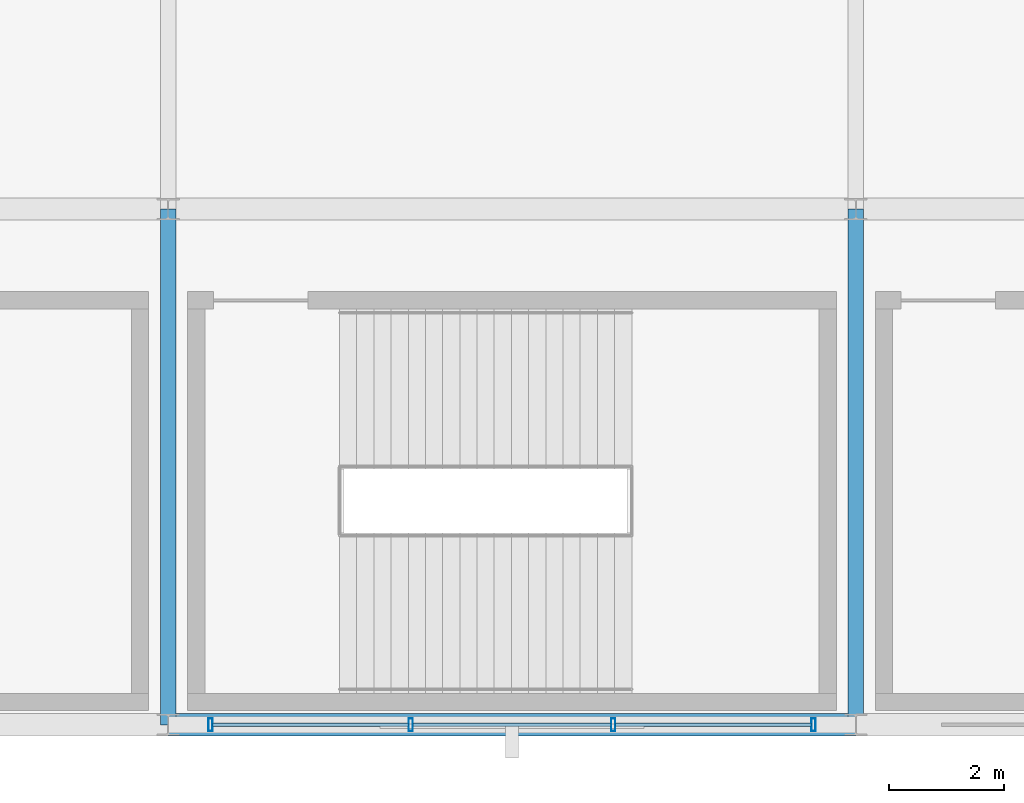
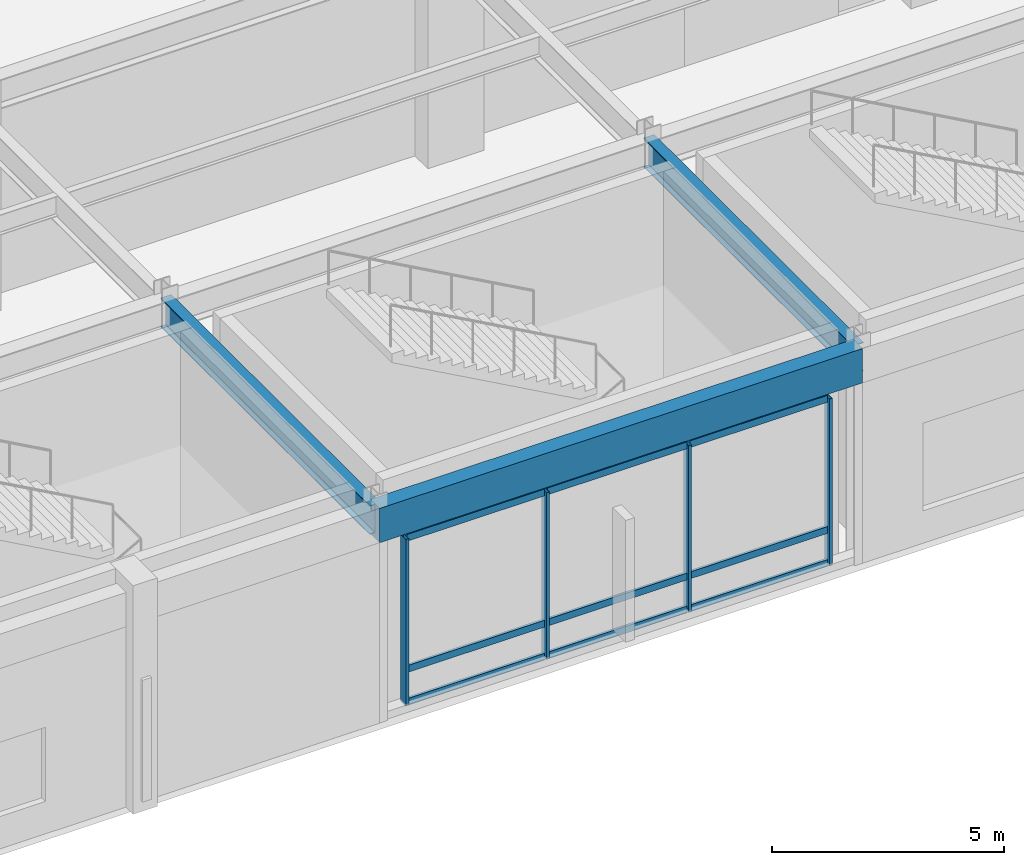
# One storey, part 29 of 108: 13 members, 3 beams, 1 element without a shape of its own.
"""IFC4 building model written with IfcOpenShell, lengths in metres."""

from ifc_helpers import new_model, si_unit, direction, frame, origin, origin_2d, place, context, subcontext, project, spatial, rectangle, hollow_rectangle, i_section, extrude, material, material_profile, profile_set, type_object, element, aggregate, save


model = new_model("IFC4")

# Units and contexts
model_context = context("Model", 3, precision=1e-05, world=origin(), true_north=direction((0.0, 1.0)))
body_context = subcontext(model_context, "Body", "Model", "MODEL_VIEW")
ifc_project = project(units=[si_unit("LENGTHUNIT", "METRE"), si_unit("AREAUNIT", "SQUARE_METRE"), si_unit("VOLUMEUNIT", "CUBIC_METRE"), si_unit("PLANEANGLEUNIT", "RADIAN"), si_unit("MASSUNIT", "GRAM", prefix="KILO")], contexts=[model_context])

# Site, building, storey
site_placement = place(None, origin())
site = spatial("IfcSite", under=ifc_project, at=site_placement, CompositionType="ELEMENT")
building_placement = place(site_placement, origin())
building = spatial("IfcBuilding", under=site, at=building_placement, Name="Kaldorvane Square Convention Centre", CompositionType="ELEMENT")
storey_placement = place(building_placement, frame((0.0, 0.0, 12.0)))
storey = spatial("IfcBuildingStorey", under=building, at=storey_placement, Name="L02", CompositionType="ELEMENT", Elevation=12.0)

# Beams
ifc_material_1 = material(Name="Steel ASTM A992 Gr. 50", Category="steel")
ifc_material_profile_1 = material_profile(ifc_material_1, i_section(OverallWidth=0.2666015625, OverallDepth=0.762298583984375, WebThickness=0.014404296875, FlangeThickness=0.0216064453125, FilletRadius=0.0164947509765625, at=origin_2d()), Name="W30X116")
ifc_profile_set_1 = profile_set([ifc_material_profile_1], Name="Steel ASTM A992 Gr. 50")
beam_type_1 = type_object("IfcBeamType", Name="BM-GR-W30X116", PredefinedType="BEAM", material=ifc_profile_set_1)
for number, where, z_axis, x_axis, name in (
    (1, (66.0, 0.0, 5.264801025390625), (0.0, 1.0, 0.0), (-1.0, 0.0, 0.0), "Transverse Girder (L02)"),
    (2, (78.0, 0.0, 5.264801025390625), (0.0, 1.0, 0.0), (-1.0, 0.0, 0.0), "Transverse Girder (L02)"),
):
    element("IfcBeam", number, at=place(storey_placement, frame(where, z_axis=z_axis, x_axis=x_axis)), inside=storey, type_object=beam_type_1, Name=name, PredefinedType="BEAM", context=body_context, shape_type="SweptSolid", body=[
        extrude(i_section(OverallWidth=0.2666015625, OverallDepth=0.762298583984375, WebThickness=0.014404296875, FlangeThickness=0.0216064453125, FilletRadius=0.0164947509765625, at=origin_2d()), origin(), (0.0, 0.0, 1.0), 9.0),
    ])
ifc_material_2 = material(Name="Concrete f'c = 42 MPa (Normalweight)", Category="concrete")
ifc_material_profile_2 = material_profile(ifc_material_2, rectangle(XDim=0.399993896484375, YDim=0.899993896484375, at=origin_2d()), Name="RCSP900X400")
ifc_profile_set_2 = profile_set([ifc_material_profile_2], Name="Concrete f'c = 42 MPa (Normalweight)")
beam_type_2 = type_object("IfcBeamType", Name="BM-SP-RC900", PredefinedType="SPANDREL", material=ifc_profile_set_2)
beam_placement = place(storey_placement, frame((66.0, 0.0, 5.1959991455078125), z_axis=(1.0, 0.0, 0.0), x_axis=(0.0, 1.0, 0.0)))
element("IfcBeam", 3, at=beam_placement, inside=storey, type_object=beam_type_2, Name="Perimeter Spandrel (L02)", PredefinedType="SPANDREL", context=body_context, shape_type="SweptSolid", body=[
    extrude(rectangle(XDim=0.399993896484375, YDim=0.899993896484375, at=origin_2d()), origin(), (0.0, 0.0, 1.0), 12.0),
])

# Curtain wall, members
ifc_material_3 = material(Name="Anodized Aluminum and Low-E Insulated Glazing", Category="aluminium")
curtain_wall_type = type_object("IfcCurtainWallType", Name="CW-UNI-P60-12", PredefinedType="USERDEFINED", material=ifc_material_3)
curtain_wall_placement = place(storey_placement, origin())
curtain_wall = element("IfcCurtainWall", 4, at=curtain_wall_placement, inside=storey, type_object=curtain_wall_type, Name="Curtain Wall CW-01 (L02)", ObjectType="UNITISED GLAZING", PredefinedType="USERDEFINED")
ifc_material_profile_3 = material_profile(ifc_material_3, hollow_rectangle(XDim=0.0749969482421875, YDim=0.220001220703125, WallThickness=0.003997802734375, at=origin_2d()), Name="CWM-220X75")
ifc_profile_set_3 = profile_set([ifc_material_profile_3], Name="Anodized Aluminum and Low-E Insulated Glazing")
member_type_1 = type_object("IfcMemberType", Name="CW-MUL-220", PredefinedType="MULLION", material=ifc_profile_set_3)
member_1_placement = place(storey_placement, frame((66.73750305175781, 0.0, 0.149993896484375), z_axis=(0.0, 0.0, 1.0), x_axis=(1.0, 0.0, 0.0)))
member_1 = element("IfcMember", 5, at=member_1_placement, type_object=member_type_1, Name="CW-01 mullion 1", PredefinedType="MULLION", context=body_context, shape_type="SweptSolid", body=[
    extrude(hollow_rectangle(XDim=0.0749969482421875, YDim=0.220001220703125, WallThickness=0.003997802734375, at=origin_2d()), origin(), (0.0, 0.0, 1.0), 4.3800048828125),
])
member_2_placement = place(storey_placement, frame((70.23333740234375, 0.0, 0.149993896484375), z_axis=(0.0, 0.0, 1.0), x_axis=(1.0, 0.0, 0.0)))
member_2 = element("IfcMember", 6, at=member_2_placement, type_object=member_type_1, Name="CW-01 mullion 2", PredefinedType="MULLION", context=body_context, shape_type="SweptSolid", body=[
    extrude(hollow_rectangle(XDim=0.0749969482421875, YDim=0.220001220703125, WallThickness=0.003997802734375, at=origin_2d()), origin(), (0.0, 0.0, 1.0), 4.3800048828125),
])
member_3_placement = place(storey_placement, frame((73.76666259765625, 0.0, 0.149993896484375), z_axis=(0.0, 0.0, 1.0), x_axis=(1.0, 0.0, 0.0)))
member_3 = element("IfcMember", 7, at=member_3_placement, type_object=member_type_1, Name="CW-01 mullion 3", PredefinedType="MULLION", context=body_context, shape_type="SweptSolid", body=[
    extrude(hollow_rectangle(XDim=0.0749969482421875, YDim=0.220001220703125, WallThickness=0.003997802734375, at=origin_2d()), origin(), (0.0, 0.0, 1.0), 4.3800048828125),
])
member_4_placement = place(storey_placement, frame((77.26249694824219, 0.0, 0.149993896484375), z_axis=(0.0, 0.0, 1.0), x_axis=(1.0, 0.0, 0.0)))
member_4 = element("IfcMember", 8, at=member_4_placement, type_object=member_type_1, Name="CW-01 mullion 4", PredefinedType="MULLION", context=body_context, shape_type="SweptSolid", body=[
    extrude(hollow_rectangle(XDim=0.0749969482421875, YDim=0.220001220703125, WallThickness=0.003997802734375, at=origin_2d()), origin(), (0.0, 0.0, 1.0), 4.3800048828125),
])
ifc_material_profile_4 = material_profile(ifc_material_3, hollow_rectangle(XDim=0.06500244140625, YDim=0.17999267578125, WallThickness=0.0034942626953125, at=origin_2d()), Name="CWT-180X65")
ifc_profile_set_4 = profile_set([ifc_material_profile_4], Name="Anodized Aluminum and Low-E Insulated Glazing")
member_type_2 = type_object("IfcMemberType", Name="CW-TRN-180", PredefinedType="USERDEFINED", material=ifc_profile_set_4)
member_5_placement = place(storey_placement, frame((66.77499389648438, 0.0, 0.1824951171875), z_axis=(1.0, 0.0, 0.0), x_axis=(0.0, 1.0, 0.0)))
member_5 = element("IfcMember", 9, at=member_5_placement, type_object=member_type_2, Name="CW-01 transom 1.1", ObjectType="TRANSOM", PredefinedType="USERDEFINED", context=body_context, shape_type="SweptSolid", body=[
    extrude(hollow_rectangle(XDim=0.06500244140625, YDim=0.17999267578125, WallThickness=0.0034942626953125, at=origin_2d()), origin(), (0.0, 0.0, 1.0), 3.42083740234375),
])
member_6_placement = place(storey_placement, frame((66.77499389648438, 0.0, 1.0500030517578125), z_axis=(1.0, 0.0, 0.0), x_axis=(0.0, 1.0, 0.0)))
member_6 = element("IfcMember", 10, at=member_6_placement, type_object=member_type_2, Name="CW-01 transom 1.2", ObjectType="TRANSOM", PredefinedType="USERDEFINED", context=body_context, shape_type="SweptSolid", body=[
    extrude(hollow_rectangle(XDim=0.06500244140625, YDim=0.17999267578125, WallThickness=0.0034942626953125, at=origin_2d()), origin(), (0.0, 0.0, 1.0), 3.42083740234375),
])
member_7_placement = place(storey_placement, frame((66.77499389648438, 0.0, 4.49749755859375), z_axis=(1.0, 0.0, 0.0), x_axis=(0.0, 1.0, 0.0)))
member_7 = element("IfcMember", 11, at=member_7_placement, type_object=member_type_2, Name="CW-01 transom 1.3", ObjectType="TRANSOM", PredefinedType="USERDEFINED", context=body_context, shape_type="SweptSolid", body=[
    extrude(hollow_rectangle(XDim=0.06500244140625, YDim=0.17999267578125, WallThickness=0.0034942626953125, at=origin_2d()), origin(), (0.0, 0.0, 1.0), 3.42083740234375),
])
member_8_placement = place(storey_placement, frame((70.27082824707031, 0.0, 0.1824951171875), z_axis=(1.0, 0.0, 0.0), x_axis=(0.0, 1.0, 0.0)))
member_8 = element("IfcMember", 12, at=member_8_placement, type_object=member_type_2, Name="CW-01 transom 2.1", ObjectType="TRANSOM", PredefinedType="USERDEFINED", context=body_context, shape_type="SweptSolid", body=[
    extrude(hollow_rectangle(XDim=0.06500244140625, YDim=0.17999267578125, WallThickness=0.0034942626953125, at=origin_2d()), origin(), (0.0, 0.0, 1.0), 3.458343505859375),
])
member_9_placement = place(storey_placement, frame((70.27082824707031, 0.0, 1.0500030517578125), z_axis=(1.0, 0.0, 0.0), x_axis=(0.0, 1.0, 0.0)))
member_9 = element("IfcMember", 13, at=member_9_placement, type_object=member_type_2, Name="CW-01 transom 2.2", ObjectType="TRANSOM", PredefinedType="USERDEFINED", context=body_context, shape_type="SweptSolid", body=[
    extrude(hollow_rectangle(XDim=0.06500244140625, YDim=0.17999267578125, WallThickness=0.0034942626953125, at=origin_2d()), origin(), (0.0, 0.0, 1.0), 3.458343505859375),
])
member_10_placement = place(storey_placement, frame((70.27082824707031, 0.0, 4.49749755859375), z_axis=(1.0, 0.0, 0.0), x_axis=(0.0, 1.0, 0.0)))
member_10 = element("IfcMember", 14, at=member_10_placement, type_object=member_type_2, Name="CW-01 transom 2.3", ObjectType="TRANSOM", PredefinedType="USERDEFINED", context=body_context, shape_type="SweptSolid", body=[
    extrude(hollow_rectangle(XDim=0.06500244140625, YDim=0.17999267578125, WallThickness=0.0034942626953125, at=origin_2d()), origin(), (0.0, 0.0, 1.0), 3.458343505859375),
])
member_11_placement = place(storey_placement, frame((73.80416870117188, 0.0, 0.1824951171875), z_axis=(1.0, 0.0, 0.0), x_axis=(0.0, 1.0, 0.0)))
member_11 = element("IfcMember", 15, at=member_11_placement, type_object=member_type_2, Name="CW-01 transom 3.1", ObjectType="TRANSOM", PredefinedType="USERDEFINED", context=body_context, shape_type="SweptSolid", body=[
    extrude(hollow_rectangle(XDim=0.06500244140625, YDim=0.17999267578125, WallThickness=0.0034942626953125, at=origin_2d()), origin(), (0.0, 0.0, 1.0), 3.42083740234375),
])
member_12_placement = place(storey_placement, frame((73.80416870117188, 0.0, 1.0500030517578125), z_axis=(1.0, 0.0, 0.0), x_axis=(0.0, 1.0, 0.0)))
member_12 = element("IfcMember", 16, at=member_12_placement, type_object=member_type_2, Name="CW-01 transom 3.2", ObjectType="TRANSOM", PredefinedType="USERDEFINED", context=body_context, shape_type="SweptSolid", body=[
    extrude(hollow_rectangle(XDim=0.06500244140625, YDim=0.17999267578125, WallThickness=0.0034942626953125, at=origin_2d()), origin(), (0.0, 0.0, 1.0), 3.42083740234375),
])
member_13_placement = place(storey_placement, frame((73.80416870117188, 0.0, 4.49749755859375), z_axis=(1.0, 0.0, 0.0), x_axis=(0.0, 1.0, 0.0)))
member_13 = element("IfcMember", 17, at=member_13_placement, type_object=member_type_2, Name="CW-01 transom 3.3", ObjectType="TRANSOM", PredefinedType="USERDEFINED", context=body_context, shape_type="SweptSolid", body=[
    extrude(hollow_rectangle(XDim=0.06500244140625, YDim=0.17999267578125, WallThickness=0.0034942626953125, at=origin_2d()), origin(), (0.0, 0.0, 1.0), 3.42083740234375),
])
aggregate(curtain_wall, [member_1, member_2, member_3, member_4, member_5, member_6, member_7, member_8, member_9, member_10, member_11, member_12, member_13])

save(model, "model.ifc")
